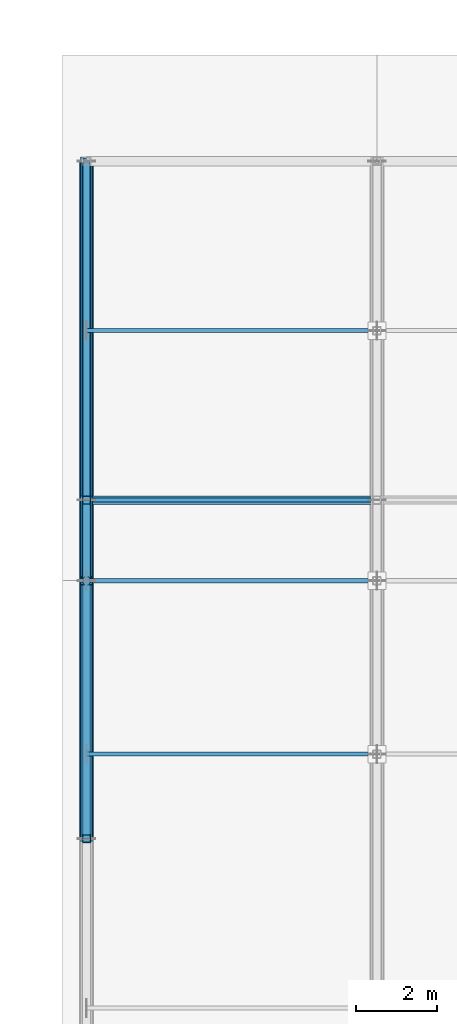
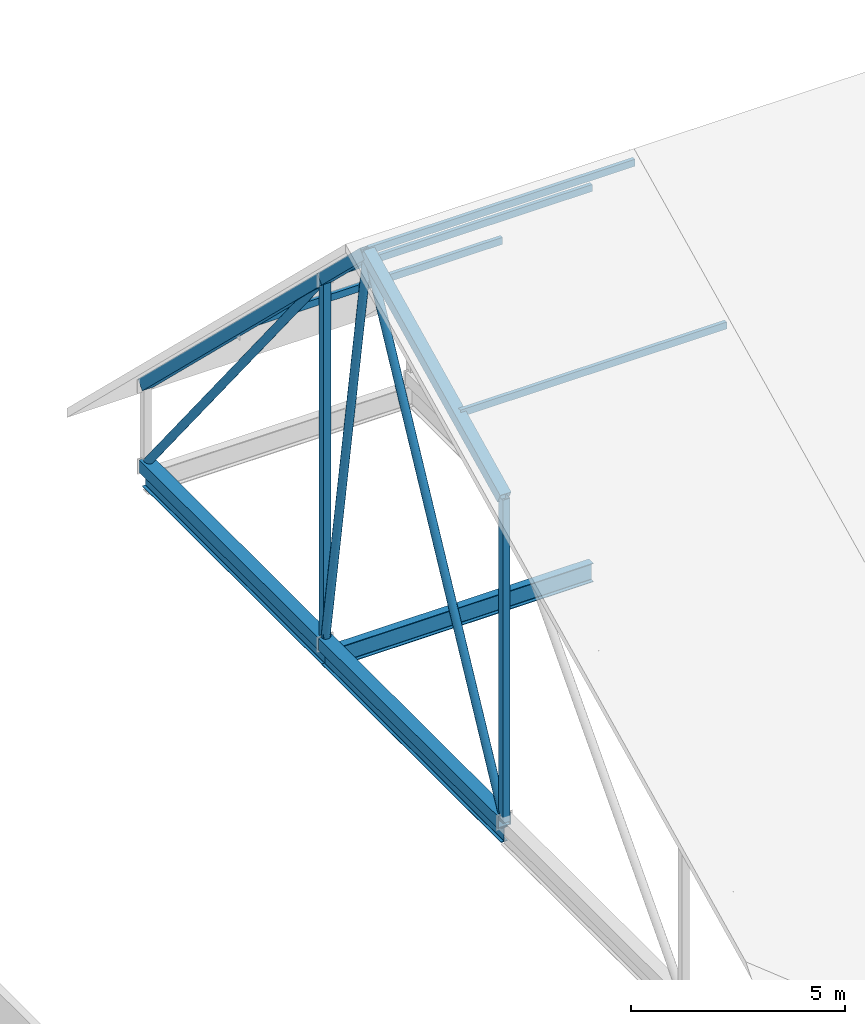
# One storey, part 20 of 99: 14 members, 3 beams.
"""IFC4 building model written with IfcOpenShell, lengths in metres."""

import ifcopenshell
import ifcopenshell.guid

model = None  # the IFC model being written
_history = None  # IfcOwnerHistory: only IFC2X3 demands one
_inside = {}  # id of a spatial element -> (the spatial element, [elements in it])
_under = {}  # id of a project, library or spatial element -> (it, [spatial elements below it])
_declared = {}  # id of a project -> (the project, [libraries it declares])
_typed = {}  # id of a type object -> (the type object, [elements of that type])
_made_of = {}  # id of a material, layer set ... -> (it, [elements and type objects made of it])


def new_model(schema):
    """Start an empty IFC model of exactly this schema.

    Asked for "IFC4X3", IfcOpenShell would pick the latest addendum, in which some entities
    have other attributes; the version numbers below select the first issue.
    IFC2X3 requires an IfcOwnerHistory on every rooted entity: one is made here for all.
    """
    global model, _history
    if schema == "IFC4X3":
        model = ifcopenshell.file(schema_version=(4, 3, 0, 0))
    else:
        model = ifcopenshell.file(schema=schema)
    _inside.clear()
    _under.clear()
    _declared.clear()
    _typed.clear()
    _made_of.clear()
    _history = None
    if model.schema == "IFC2X3":
        org = make("IfcOrganization", Name="unknown")
        user = make(
            "IfcPersonAndOrganization",
            ThePerson=make("IfcPerson", FamilyName="unknown"),
            TheOrganization=org,
        )
        app = make(
            "IfcApplication",
            ApplicationDeveloper=org,
            Version="unknown",
            ApplicationFullName="unknown",
            ApplicationIdentifier="unknown",
        )
        _history = make(
            "IfcOwnerHistory",
            OwningUser=user,
            OwningApplication=app,
            ChangeAction="ADDED",
            CreationDate=0,
        )
    return model


def make(cls, **values):
    """One entity of the class cls with the attributes given. An attribute that is None is left unset."""
    return model.create_entity(
        cls, **{name: value for name, value in values.items() if value is not None}
    )


def rooted(cls, **values):
    """An entity with a GlobalId (a new one), such as an element, a storey or a relation."""
    return make(cls, GlobalId=ifcopenshell.guid.new(), OwnerHistory=_history, **values)


def si_unit(unit_type, name, prefix=None):
    """IfcSIUnit, for example si_unit("LENGTHUNIT", "METRE", prefix="MILLI")."""
    return make("IfcSIUnit", UnitType=unit_type, Prefix=prefix, Name=name)


def assignment(units):
    """IfcUnitAssignment: the units of a project."""
    return None if units is None else make("IfcUnitAssignment", Units=units)


def point(xyz):
    """IfcCartesianPoint."""
    return None if xyz is None else make("IfcCartesianPoint", Coordinates=xyz)


def direction(xyz):
    """IfcDirection."""
    return None if xyz is None else make("IfcDirection", DirectionRatios=xyz)


def frame(location, z_axis=None, x_axis=None):
    """IfcAxis2Placement3D, a coordinate frame: its origin and axes. An axis left out is left unset."""
    return make(
        "IfcAxis2Placement3D",
        Location=point(location),
        Axis=direction(z_axis),
        RefDirection=direction(x_axis),
    )


def frame_2d(location, x_axis=None):
    """IfcAxis2Placement2D, a coordinate frame in the plane: its origin and x axis."""
    return make(
        "IfcAxis2Placement2D", Location=point(location), RefDirection=direction(x_axis)
    )


def origin():
    """The frame at (0, 0, 0) with its axes left unset."""
    return frame((0.0, 0.0, 0.0))


def origin_2d():
    """The frame at (0, 0) in the plane with its x axis left unset."""
    return frame_2d((0.0, 0.0))


def place(relative_to, where):
    """IfcLocalPlacement: puts the frame where relative to a parent placement (None: the world)."""
    return make(
        "IfcLocalPlacement", PlacementRelTo=relative_to, RelativePlacement=where
    )


def context(
    kind, dimensions, precision=None, world=None, true_north=None, identifier=None
):
    """IfcGeometricRepresentationContext, for example the 3D "Model" context."""
    return make(
        "IfcGeometricRepresentationContext",
        ContextIdentifier=identifier,
        ContextType=kind,
        CoordinateSpaceDimension=dimensions,
        Precision=precision,
        WorldCoordinateSystem=world,
        TrueNorth=true_north,
    )


def subcontext(parent, identifier, kind, view, scale=None):
    """IfcGeometricRepresentationSubContext, for example "Body" below "Model"."""
    return make(
        "IfcGeometricRepresentationSubContext",
        ContextIdentifier=identifier,
        ContextType=kind,
        ParentContext=parent,
        TargetScale=scale,
        TargetView=view,
    )


def project(units=None, contexts=None):
    """IfcProject with its units and contexts."""
    return rooted(
        "IfcProject",
        Name="project",
        RepresentationContexts=contexts,
        UnitsInContext=assignment(units),
    )


def spatial(cls, under=None, at=None, **own):
    """A site, building, storey or space (cls), placed at a placement, below another one or the project."""
    s = rooted(cls, ObjectPlacement=at, **own)
    if under is not None:
        _under.setdefault(under.id(), (under, []))[1].append(s)
    return s


def profile(cls, at=None, kind="AREA", **sizes):
    """A parametric profile (cls). Its sizes go by their IFC names, for example OverallWidth=200.0."""
    return make(cls, ProfileType=kind, Position=at, **sizes)


def hollow_rectangle(**sizes):
    """IfcRectangleHollowProfileDef."""
    return profile("IfcRectangleHollowProfileDef", **sizes)


def hollow_circle(**sizes):
    """IfcCircleHollowProfileDef."""
    return profile("IfcCircleHollowProfileDef", **sizes)


def i_section(**sizes):
    """IfcIShapeProfileDef."""
    return profile("IfcIShapeProfileDef", **sizes)


def extrude(swept, where, along, depth):
    """IfcExtrudedAreaSolid: the profile swept, set in the frame where, extruded along a direction by depth."""
    return make(
        "IfcExtrudedAreaSolid",
        SweptArea=swept,
        Position=where,
        ExtrudedDirection=direction(along),
        Depth=depth,
    )


def shape(context_of_items, identifier, shape_type, items):
    """IfcShapeRepresentation: the items that make up one representation, for example the "Body"."""
    return make(
        "IfcShapeRepresentation",
        ContextOfItems=context_of_items,
        RepresentationIdentifier=identifier,
        RepresentationType=shape_type,
        Items=items,
    )


def material(Name=None, Category=None):
    """IfcMaterial."""
    return make("IfcMaterial", Name=Name, Category=Category)


def material_profile(
    of_material, cross_section, Name=None, Category=None, Priority=None
):
    """IfcMaterialProfile: a cross section and its material."""
    return make(
        "IfcMaterialProfile",
        Name=Name,
        Material=of_material,
        Profile=cross_section,
        Priority=Priority,
        Category=Category,
    )


def profile_set(profiles, Name=None, composite=None):
    """IfcMaterialProfileSet."""
    return make(
        "IfcMaterialProfileSet",
        Name=Name,
        MaterialProfiles=profiles,
        CompositeProfile=composite,
    )


def made_of(thing, what):
    """Note that an element or type object is made of a material, layer set ...; save() writes the relation."""
    if what is not None:
        _made_of.setdefault(what.id(), (what, []))[1].append(thing)
    return thing


def type_object(cls, material=None, **own):
    """A type object (cls), such as IfcWallType, which elements share."""
    return made_of(rooted(cls, **own), material)


def element(
    cls,
    number,
    at=None,
    inside=None,
    cuts=None,
    type_object=None,
    material=None,
    context=None,
    identifier="Body",
    shape_type=None,
    held_by="IfcProductDefinitionShape",
    body=None,
    shapes=None,
    **own,
):
    """One element of the class cls, such as IfcWall. Its Tag is "e" and its number.

    at: its placement. inside: the storey or other place that contains it. cuts: it is an
    opening in that element (IfcRelVoidsElement). A single representation is given by context,
    identifier, shape_type and body (its items); several are given by shapes. held_by: the class
    of the entity that holds the representations. save() writes the other relations.
    """
    e = rooted(cls, Tag="e%d" % number, ObjectPlacement=at, **own)
    if body is not None:
        shapes = [shape(context, identifier, shape_type, body)]
    if shapes is not None:
        e.Representation = make(held_by, Representations=shapes)
    if inside is not None:
        _inside.setdefault(inside.id(), (inside, []))[1].append(e)
    if cuts is not None:
        rooted(
            "IfcRelVoidsElement", RelatingBuildingElement=cuts, RelatedOpeningElement=e
        )
    if type_object is not None:
        _typed.setdefault(type_object.id(), (type_object, []))[1].append(e)
    return made_of(e, material)


def aggregate(whole, parts):
    """IfcRelAggregates: a whole, such as a stair, and the parts it consists of."""
    return rooted("IfcRelAggregates", RelatingObject=whole, RelatedObjects=parts)


def save(model, path):
    """Write the relations noted so far, then the file.

    IfcRelAggregates (storeys below a building ...), IfcRelContainedInSpatialStructure (elements
    in a storey), IfcRelDefinesByType, IfcRelAssociatesMaterial and IfcRelDeclares: one each for
    every whole, place, type object, material and project.
    """
    for whole, parts in _under.values():
        aggregate(whole, parts)
    for where, things in _inside.values():
        rooted(
            "IfcRelContainedInSpatialStructure",
            RelatedElements=things,
            RelatingStructure=where,
        )
    for kind, things in _typed.values():
        rooted("IfcRelDefinesByType", RelatedObjects=things, RelatingType=kind)
    for what, things in _made_of.values():
        rooted("IfcRelAssociatesMaterial", RelatedObjects=things, RelatingMaterial=what)
    for by, libraries in _declared.values():
        rooted("IfcRelDeclares", RelatingContext=by, RelatedDefinitions=libraries)
    model.write(path)


model = new_model("IFC4")

# Units and contexts
model_context = context("Model", 3, precision=1e-05, world=origin(), true_north=direction((0.0, 1.0)))
body_context = subcontext(model_context, "Body", "Model", "MODEL_VIEW")
ifc_project = project(units=[si_unit("LENGTHUNIT", "METRE"), si_unit("AREAUNIT", "SQUARE_METRE"), si_unit("VOLUMEUNIT", "CUBIC_METRE"), si_unit("PLANEANGLEUNIT", "RADIAN"), si_unit("MASSUNIT", "GRAM", prefix="KILO")], contexts=[model_context])

# Site, building, storey
site_placement = place(None, origin())
site = spatial("IfcSite", under=ifc_project, at=site_placement, CompositionType="ELEMENT")
building_placement = place(site_placement, origin())
building = spatial("IfcBuilding", under=site, at=building_placement, Name="Qelthora Terrace Specialist Clinic", CompositionType="ELEMENT")
storey_placement = place(building_placement, frame((0.0, 0.0, 9.0)))
storey = spatial("IfcBuildingStorey", under=building, at=storey_placement, Name="L02", CompositionType="ELEMENT", Elevation=9.0)

# Beams
ifc_material = material(Name="Steel S355", Category="steel")
ifc_material_profile_1 = material_profile(ifc_material, i_section(OverallWidth=0.178955078125, OverallDepth=0.409912109375, WebThickness=0.0087890625, FlangeThickness=0.014404296875, FilletRadius=0.011962890625, at=origin_2d()), Name="W410X67")
ifc_profile_set_1 = profile_set([ifc_material_profile_1], Name="Steel S355")
beam_type_1 = type_object("IfcBeamType", Name="BM-W410X67", PredefinedType="BEAM", material=ifc_profile_set_1)
beam_1_placement = place(storey_placement, frame((57.60009765625, 25.199951171875, -0.455078125), z_axis=(0.0, 1.0, 0.0), x_axis=(-1.0, 0.0, 0.0)))
element("IfcBeam", 1, at=beam_1_placement, inside=storey, type_object=beam_type_1, Name="Girder BMY-L02-0810", PredefinedType="BEAM", context=body_context, shape_type="SweptSolid", body=[
    extrude(i_section(OverallWidth=0.178955078125, OverallDepth=0.409912109375, WebThickness=0.0087890625, FlangeThickness=0.014404296875, FilletRadius=0.011962890625, at=origin_2d()), origin(), (0.0, 0.0, 1.0), 8.400146484375),
])
ifc_material_profile_2 = material_profile(ifc_material, i_section(OverallWidth=0.179931640625, OverallDepth=0.4130859375, WebThickness=0.009765625, FlangeThickness=0.01611328125, FilletRadius=0.011962890625, at=origin_2d()), Name="W410X75")
ifc_profile_set_2 = profile_set([ifc_material_profile_2], Name="Steel S355")
beam_type_2 = type_object("IfcBeamType", Name="BM-W410X75", PredefinedType="BEAM", material=ifc_profile_set_2)
beam_2_placement = place(storey_placement, frame((57.60009765625, 16.800048828125, -0.45654296875), z_axis=(0.0, 1.0, 0.0), x_axis=(-1.0, 0.0, 0.0)))
element("IfcBeam", 2, at=beam_2_placement, inside=storey, type_object=beam_type_2, Name="Girder BMY-L02-0809", PredefinedType="BEAM", context=body_context, shape_type="SweptSolid", body=[
    extrude(i_section(OverallWidth=0.179931640625, OverallDepth=0.4130859375, WebThickness=0.009765625, FlangeThickness=0.01611328125, FilletRadius=0.011962890625, at=origin_2d()), origin(), (0.0, 0.0, 1.0), 8.39990234375),
])
ifc_material_profile_3 = material_profile(ifc_material, i_section(OverallWidth=0.2099609375, OverallDepth=0.537109375, WebThickness=0.010986328125, FlangeThickness=0.017333984375, FilletRadius=0.013916015625, at=origin_2d()), Name="W530X101")
ifc_profile_set_3 = profile_set([ifc_material_profile_3], Name="Steel S355")
beam_type_3 = type_object("IfcBeamType", Name="BM-W530X101", PredefinedType="BEAM", material=ifc_profile_set_3)
beam_3_placement = place(storey_placement, frame((57.60009765625, 25.199951171875, -0.5185546875), z_axis=(1.0, 0.0, 0.0), x_axis=(0.0, 1.0, 0.0)))
element("IfcBeam", 3, at=beam_3_placement, inside=storey, type_object=beam_type_3, Name="Girder BMX-L02-0594", PredefinedType="BEAM", context=body_context, shape_type="SweptSolid", body=[
    extrude(i_section(OverallWidth=0.2099609375, OverallDepth=0.537109375, WebThickness=0.010986328125, FlangeThickness=0.017333984375, FilletRadius=0.013916015625, at=origin_2d()), origin(), (0.0, 0.0, 1.0), 7.199951171875),
])

# Members
ifc_material_profile_4 = material_profile(ifc_material, hollow_circle(Radius=0.109619140625, WallThickness=0.010009765625, at=origin_2d()), Name="CHS219X10")
ifc_profile_set_4 = profile_set([ifc_material_profile_4], Name="Steel S355")
member_type_1 = type_object("IfcMemberType", Name="MEM-BRACE-CHS219", PredefinedType="BRACE", material=ifc_profile_set_4)
member_1_placement = place(storey_placement, frame((57.60009765625, 16.800048828125, -0.050048828125), z_axis=(0.0, 0.459805096677, 0.888019860741), x_axis=(-1.0, 0.0, 0.0)))
element("IfcMember", 4, at=member_1_placement, inside=storey, type_object=member_type_1, Name="Hall roof truss TR-1 diagonal web 3", PredefinedType="BRACE", context=body_context, shape_type="SweptSolid", body=[
    extrude(hollow_circle(Radius=0.109619140625, WallThickness=0.010009765625, at=origin_2d()), origin(), (0.0, 0.0, 1.0), 13.918701171875),
])
member_2_placement = place(storey_placement, frame((57.60009765625, 25.199951171875, -0.050048828125), z_axis=(0.0, -0.159733273645, 0.987160210549), x_axis=(1.0, 0.0, 0.0)))
element("IfcMember", 5, at=member_2_placement, inside=storey, type_object=member_type_1, Name="Hall roof truss TR-1 diagonal web 4", PredefinedType="BRACE", context=body_context, shape_type="SweptSolid", body=[
    extrude(hollow_circle(Radius=0.109619140625, WallThickness=0.010009765625, at=origin_2d()), origin(), (0.0, 0.0, 1.0), 12.520751953125),
])
member_3_placement = place(storey_placement, frame((57.60009765625, 33.60009765625, -0.050048828125), z_axis=(0.0, -0.627339673849, 0.778745743882), x_axis=(1.0, 0.0, 0.0)))
element("IfcMember", 6, at=member_3_placement, inside=storey, type_object=member_type_1, Name="Hall roof truss TR-1 diagonal web 5", PredefinedType="BRACE", context=body_context, shape_type="SweptSolid", body=[
    extrude(hollow_circle(Radius=0.109619140625, WallThickness=0.010009765625, at=origin_2d()), origin(), (0.0, 0.0, 1.0), 13.39013671875),
])
ifc_material_profile_5 = material_profile(ifc_material, hollow_rectangle(XDim=0.199951171875, YDim=0.199951171875, WallThickness=0.010009765625, at=origin_2d()), Name="HSS200X200X10")
ifc_profile_set_5 = profile_set([ifc_material_profile_5], Name="Steel S355")
member_type_2 = type_object("IfcMemberType", Name="MEM-BRACE-HSS200", PredefinedType="BRACE", material=ifc_profile_set_5)
member_4_placement = place(storey_placement, frame((57.60009765625, 16.800048828125, -0.050048828125), z_axis=(0.0, 0.0, 1.0), x_axis=(1.0, 0.0, 0.0)))
element("IfcMember", 7, at=member_4_placement, inside=storey, type_object=member_type_2, Name="Hall roof truss TR-1 vertical web 3", PredefinedType="BRACE", context=body_context, shape_type="SweptSolid", body=[
    extrude(hollow_rectangle(XDim=0.199951171875, YDim=0.199951171875, WallThickness=0.010009765625, at=origin_2d()), origin(), (0.0, 0.0, 1.0), 9.2392578125),
])
member_5_placement = place(storey_placement, frame((57.60009765625, 25.199951171875, -0.050048828125), z_axis=(0.0, 0.0, 1.0), x_axis=(1.0, 0.0, 0.0)))
element("IfcMember", 8, at=member_5_placement, inside=storey, type_object=member_type_2, Name="Hall roof truss TR-1 vertical web 4", PredefinedType="BRACE", context=body_context, shape_type="SweptSolid", body=[
    extrude(hollow_rectangle(XDim=0.199951171875, YDim=0.199951171875, WallThickness=0.010009765625, at=origin_2d()), origin(), (0.0, 0.0, 1.0), 10.427490234375),
])
ifc_material_profile_6 = material_profile(ifc_material, hollow_rectangle(XDim=0.300048828125, YDim=0.300048828125, WallThickness=0.011962890625, at=origin_2d()), Name="HSS300X300X12")
ifc_profile_set_6 = profile_set([ifc_material_profile_6], Name="Steel S355")
member_type_3 = type_object("IfcMemberType", Name="MEM-CHORD-HSS300", PredefinedType="CHORD", material=ifc_profile_set_6)
member_6_placement = place(storey_placement, frame((57.60009765625, 16.800048828125, 9.189208984375), z_axis=(0.0, 0.89882676526, 0.438304056623), x_axis=(-1.0, 0.0, 0.0)))
element("IfcMember", 9, at=member_6_placement, inside=storey, type_object=member_type_3, Name="Hall roof truss TR-1 top chord 3", PredefinedType="CHORD", context=body_context, shape_type="SweptSolid", body=[
    extrude(hollow_rectangle(XDim=0.300048828125, YDim=0.300048828125, WallThickness=0.011962890625, at=origin_2d()), origin(), (0.0, 0.0, 1.0), 7.120361328125),
])
member_7_placement = place(storey_placement, frame((57.60009765625, 23.199951171875, 12.31005859375), z_axis=(0.0, 0.719117037944, -0.694888973677), x_axis=(-1.0, 0.0, 0.0)))
element("IfcMember", 10, at=member_7_placement, inside=storey, type_object=member_type_3, Name="Hall roof truss TR-1 top chord 4", PredefinedType="CHORD", context=body_context, shape_type="SweptSolid", body=[
    extrude(hollow_rectangle(XDim=0.300048828125, YDim=0.300048828125, WallThickness=0.011962890625, at=origin_2d()), origin(), (0.0, 0.0, 1.0), 2.78125),
])
member_8_placement = place(storey_placement, frame((57.60009765625, 25.199951171875, 10.37744140625), z_axis=(0.0, 0.719146070625, -0.694858927484), x_axis=(-1.0, 0.0, 0.0)))
element("IfcMember", 11, at=member_8_placement, inside=storey, type_object=member_type_3, Name="Hall roof truss TR-1 top chord 5", PredefinedType="CHORD", context=body_context, shape_type="SweptSolid", body=[
    extrude(hollow_rectangle(XDim=0.300048828125, YDim=0.300048828125, WallThickness=0.011962890625, at=origin_2d()), origin(), (0.0, 0.0, 1.0), 11.6806640625),
])
ifc_material_profile_7 = material_profile(ifc_material, hollow_rectangle(XDim=0.35009765625, YDim=0.35009765625, WallThickness=0.01611328125, at=origin_2d()), Name="HSS350X350X16")
ifc_profile_set_7 = profile_set([ifc_material_profile_7], Name="Steel S355")
member_type_4 = type_object("IfcMemberType", Name="MEM-CHORD-HSS350", PredefinedType="CHORD", material=ifc_profile_set_7)
member_9_placement = place(storey_placement, frame((57.60009765625, 16.800048828125, -0.050048828125), z_axis=(0.0, 1.0, 0.0), x_axis=(-1.0, 0.0, 0.0)))
element("IfcMember", 12, at=member_9_placement, inside=storey, type_object=member_type_4, Name="Hall roof truss TR-1 bottom chord 3", PredefinedType="CHORD", context=body_context, shape_type="SweptSolid", body=[
    extrude(hollow_rectangle(XDim=0.35009765625, YDim=0.35009765625, WallThickness=0.01611328125, at=origin_2d()), origin(), (0.0, 0.0, 1.0), 8.39990234375),
])
member_10_placement = place(storey_placement, frame((57.60009765625, 25.199951171875, -0.050048828125), z_axis=(0.0, 1.0, 0.0), x_axis=(-1.0, 0.0, 0.0)))
element("IfcMember", 13, at=member_10_placement, inside=storey, type_object=member_type_4, Name="Hall roof truss TR-1 bottom chord 4", PredefinedType="CHORD", context=body_context, shape_type="SweptSolid", body=[
    extrude(hollow_rectangle(XDim=0.35009765625, YDim=0.35009765625, WallThickness=0.01611328125, at=origin_2d()), origin(), (0.0, 0.0, 1.0), 8.400146484375),
])
ifc_material_profile_8 = material_profile(ifc_material, hollow_rectangle(XDim=0.10009765625, YDim=0.199951171875, WallThickness=0.008056640625, at=origin_2d()), Name="HSS200X100X8")
ifc_profile_set_8 = profile_set([ifc_material_profile_8], Name="Steel S355")
member_type_5 = type_object("IfcMemberType", Name="MEM-PURLIN-HSS200", PredefinedType="PURLIN", material=ifc_profile_set_8)
for number, where, z_axis, x_axis, name in (
    (14, (57.60009765625, 18.89990234375, 10.329345703125), (1.0, 0.0, 0.0), (0.0, 1.0, 0.0), "Hall roof purlin V1-PRL-011"),
    (15, (57.60009765625, 23.199951171875, 12.3740234375), (1.0, 0.0, 0.0), (0.0, 1.0, 0.0), "Hall roof purlin V1-PRL-016"),
    (16, (57.60009765625, 25.199951171875, 10.44140625), (1.0, 0.0, 0.0), (0.0, 1.0, 0.0), "Hall roof purlin V1-PRL-021"),
    (17, (57.60009765625, 29.39990234375, 6.38330078125), (1.0, 0.0, 0.0), (0.0, 1.0, 0.0), "Hall roof purlin V1-PRL-026"),
):
    element("IfcMember", number, at=place(storey_placement, frame(where, z_axis=z_axis, x_axis=x_axis)), inside=storey, type_object=member_type_5, Name=name, PredefinedType="PURLIN", context=body_context, shape_type="SweptSolid", body=[
        extrude(hollow_rectangle(XDim=0.10009765625, YDim=0.199951171875, WallThickness=0.008056640625, at=origin_2d()), origin(), (0.0, 0.0, 1.0), 7.199951171875),
    ])

save(model, "model.ifc")
